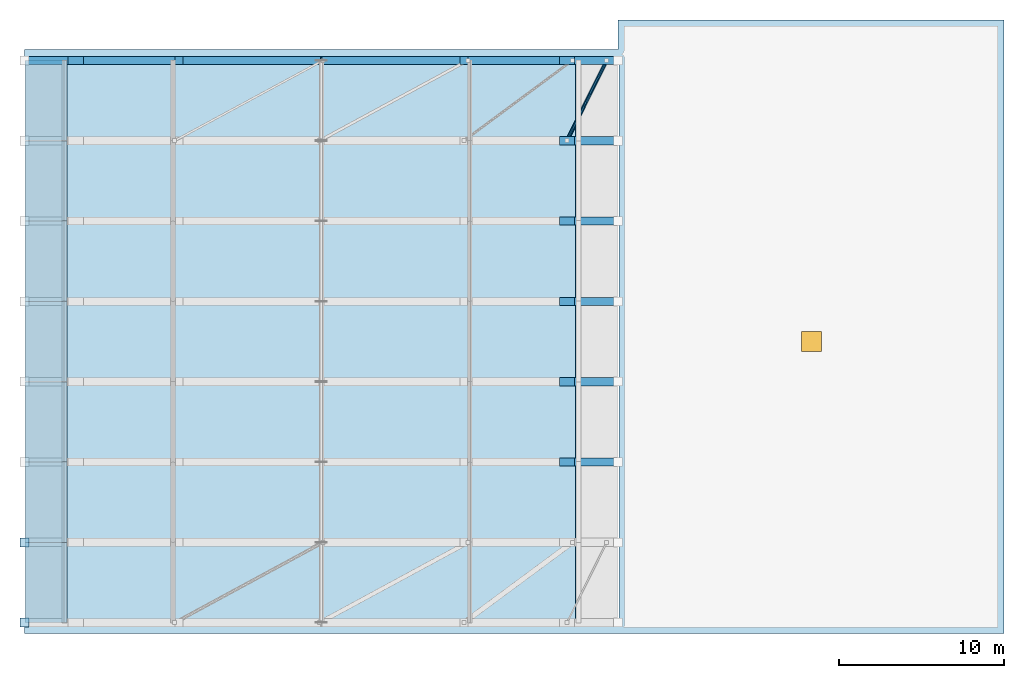
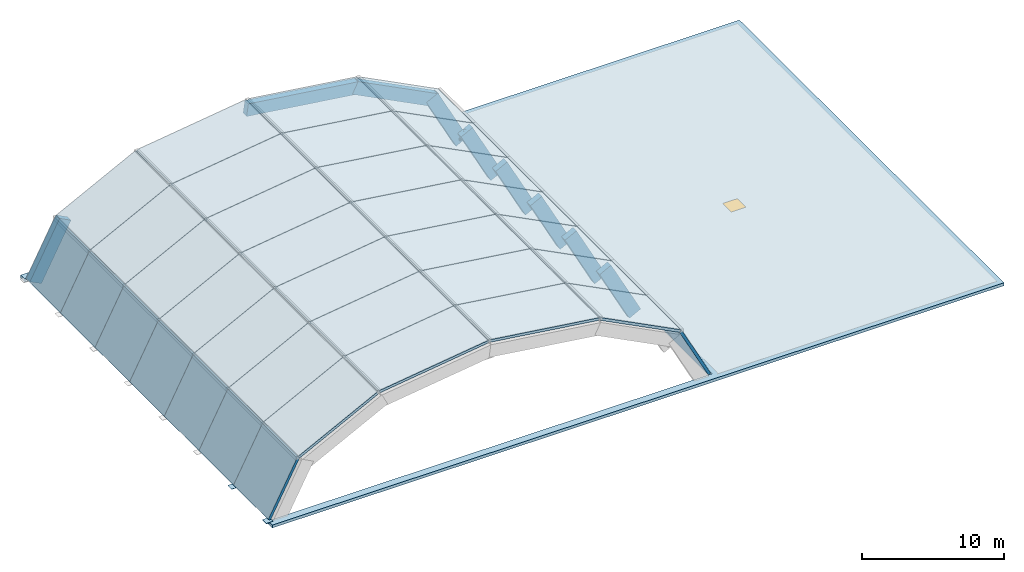
# One storey, part 2 of 4: 43 slabs, 11 beams, 2 plates, 1 member, 1 window, 1 opening.
"""IFC4 building model written with IfcOpenShell, lengths in metres."""

from ifc_helpers import new_model, si_unit, direction, frame, origin, origin_2d, place, context, subcontext, project, spatial, polyline, rectangle, hollow_circle, outline, extrude, material, layer, layer_set, material_profile, profile_set, type_object, element, fill, save


model = new_model("IFC4")

# Units and contexts
model_context = context("Model", 3, precision=1e-05, world=origin(), true_north=direction((0.0, 1.0)))
body_context = subcontext(model_context, "Body", "Model", "MODEL_VIEW")
ifc_project = project(units=[si_unit("LENGTHUNIT", "METRE"), si_unit("AREAUNIT", "SQUARE_METRE"), si_unit("VOLUMEUNIT", "CUBIC_METRE"), si_unit("PLANEANGLEUNIT", "RADIAN"), si_unit("MASSUNIT", "GRAM", prefix="KILO")], contexts=[model_context])

# Site, building, storey
site_placement = place(None, origin())
site = spatial("IfcSite", under=ifc_project, at=site_placement, CompositionType="ELEMENT")
building_placement = place(site_placement, origin())
building = spatial("IfcBuilding", under=site, at=building_placement, Name="Mithqara Police Headquarters", CompositionType="ELEMENT")
storey_placement = place(building_placement, frame((0.0, 0.0, 35.39990234375)))
storey = spatial("IfcBuildingStorey", under=building, at=storey_placement, Name="ROOF", CompositionType="ELEMENT", Elevation=35.39990234375)

# Member
ifc_material_1 = material(Name="Steel S355JR", Category="steel")
ifc_material_profile_1 = material_profile(ifc_material_1, hollow_circle(Radius=0.109619140625, WallThickness=0.010009765625, at=origin_2d()), Name="CHS 219.1x10.0")
ifc_profile_set_1 = profile_set([ifc_material_profile_1], Name="Steel S355JR")
member_type = type_object("IfcMemberType", Name="BRACE CHS219", PredefinedType="BRACE", material=ifc_profile_set_1)
member_placement = place(storey_placement, frame((141.4931640625, 108.478515625, 4.235595703125), z_axis=(0.338661642376, 0.68411160275, -0.645987311768), x_axis=(-0.896198681727, 0.443652930646, 0.0)))
element("IfcMember", 1, at=member_placement, inside=storey, type_object=member_type, Name="Command and Control Room Barrel Vault Vault Wind Brace Bay 7 Facet 6", PredefinedType="BRACE", context=body_context, shape_type="SweptSolid", body=[
    extrude(hollow_circle(Radius=0.109619140625, WallThickness=0.010009765625, at=origin_2d()), origin(), (0.0, 0.0, 1.0), 7.12109375),
])

# Beams
ifc_material_2 = material(Name="Concrete C50/60", Category="concrete")
ifc_material_profile_2 = material_profile(ifc_material_2, rectangle(XDim=0.5, YDim=1.050048828125, at=origin_2d()), Name="RIB 500x1050")
ifc_profile_set_2 = profile_set([ifc_material_profile_2], Name="Concrete C50/60")
beam_type = type_object("IfcBeamType", Name="VAULT RIB 500X1050", PredefinedType="BEAM", material=ifc_profile_set_2)
for number, where, z_axis, x_axis, name in (
    (2, (141.4931640625, 88.992919921875, 4.235595703125), (0.464316095855, 0.0, -0.885669556398), (0.0, 1.0, 0.0), "Command and Control Room Barrel Vault Arch Rib 3 Chord 6"),
    (3, (141.4931640625, 93.8642578125, 4.235595703125), (0.464316095855, 0.0, -0.885669556398), (0.0, 1.0, 0.0), "Command and Control Room Barrel Vault Arch Rib 4 Chord 6"),
    (4, (141.4931640625, 98.735595703125, 4.235595703125), (0.464316095855, 0.0, -0.885669556398), (0.0, 1.0, 0.0), "Command and Control Room Barrel Vault Arch Rib 5 Chord 6"),
    (5, (141.4931640625, 103.607177734375, 4.235595703125), (0.464316095855, 0.0, -0.885669556398), (0.0, 1.0, 0.0), "Command and Control Room Barrel Vault Arch Rib 6 Chord 6"),
    (6, (141.4931640625, 108.478515625, 4.235595703125), (0.464316095855, 0.0, -0.885669556398), (0.0, 1.0, 0.0), "Command and Control Room Barrel Vault Arch Rib 7 Chord 6"),
    (7, (109.29541015625, 113.35009765625, -0.364501953125), (0.464279223373, 0.0, 0.885688885977), (0.0, 1.0, 0.0), "Command and Control Room Barrel Vault Arch Rib 8 Chord 1"),
):
    element("IfcBeam", number, at=place(storey_placement, frame(where, z_axis=z_axis, x_axis=x_axis)), inside=storey, type_object=beam_type, Name=name, PredefinedType="BEAM", context=body_context, shape_type="SweptSolid", body=[
        extrude(rectangle(XDim=0.5, YDim=1.050048828125, at=origin_2d()), origin(), (0.0, 0.0, 1.0), 5.19384765625),
    ])
beam_1_placement = place(storey_placement, frame((111.368896484375, 113.35009765625, 3.901123046875), z_axis=(0.890432602167, 0.0, 0.455115129389), x_axis=(0.0, 1.0, 0.0)))
element("IfcBeam", 8, at=beam_1_placement, inside=storey, type_object=beam_type, Name="Command and Control Room Barrel Vault Arch Rib 8 Chord 2", PredefinedType="BEAM", context=body_context, shape_type="SweptSolid", body=[
    extrude(rectangle(XDim=0.5, YDim=1.050048828125, at=origin_2d()), origin(), (0.0, 0.0, 1.0), 7.399169921875),
])
for number, where, z_axis, x_axis, name in (
    (9, (117.70654296875, 113.35009765625, 7.189697265625), (0.990750513931, 0.0, 0.135696054276), (0.0, 1.0, 0.0), "Command and Control Room Barrel Vault Arch Rib 8 Chord 3"),
    (10, (126.493408203125, 113.35009765625, 8.42236328125), (0.990750513931, 0.0, -0.135696054276), (0.0, 1.0, 0.0), "Command and Control Room Barrel Vault Arch Rib 8 Chord 4"),
):
    element("IfcBeam", number, at=place(storey_placement, frame(where, z_axis=z_axis, x_axis=x_axis)), inside=storey, type_object=beam_type, Name=name, PredefinedType="BEAM", context=body_context, shape_type="SweptSolid", body=[
        extrude(rectangle(XDim=0.5, YDim=1.050048828125, at=origin_2d()), origin(), (0.0, 0.0, 1.0), 9.083984375),
    ])
beam_2_placement = place(storey_placement, frame((135.24267578125, 113.35009765625, 7.2685546875), z_axis=(0.890439436339, 0.0, -0.455101758085), x_axis=(0.0, 1.0, 0.0)))
element("IfcBeam", 11, at=beam_2_placement, inside=storey, type_object=beam_type, Name="Command and Control Room Barrel Vault Arch Rib 8 Chord 5", PredefinedType="BEAM", context=body_context, shape_type="SweptSolid", body=[
    extrude(rectangle(XDim=0.5, YDim=1.050048828125, at=origin_2d()), origin(), (0.0, 0.0, 1.0), 7.3994140625),
])
beam_3_placement = place(storey_placement, frame((141.4931640625, 113.35009765625, 4.235595703125), z_axis=(0.464316095855, 0.0, -0.885669556398), x_axis=(0.0, 1.0, 0.0)))
element("IfcBeam", 12, at=beam_3_placement, inside=storey, type_object=beam_type, Name="Command and Control Room Barrel Vault Arch Rib 8 Chord 6", PredefinedType="BEAM", context=body_context, shape_type="SweptSolid", body=[
    extrude(rectangle(XDim=0.5, YDim=1.050048828125, at=origin_2d()), origin(), (0.0, 0.0, 1.0), 5.19384765625),
])

# Plates
ifc_layer_1 = layer(ifc_material_1, 0.048095703125, Name="Steel S355JR")
ifc_layer_set_1 = layer_set([ifc_layer_1], Name="Steel S355JR")
plate_type_1 = type_object("IfcPlateType", Name="BASE PLATE 48", PredefinedType="SHEET", material=ifc_layer_set_1)
plate_1_placement = place(storey_placement, frame((108.60009765625, 79.25, -0.0478515625), z_axis=(0.0, 0.0, 1.0), x_axis=(1.0, 0.0, 0.0)))
element("IfcPlate", 13, at=plate_1_placement, inside=storey, type_object=plate_type_1, Name="Command and Control Room Barrel Vault Springing Shoe Plate W1", PredefinedType="SHEET", context=body_context, shape_type="SweptSolid", body=[
    extrude(rectangle(XDim=0.550048828125, YDim=0.550048828125, at=origin_2d()), origin(), (0.0, 0.0, 1.0), 0.048095703125),
])
ifc_layer_2 = layer(ifc_material_1, 0.02392578125, Name="Steel S355JR")
ifc_layer_set_2 = layer_set([ifc_layer_2], Name="Steel S355JR")
plate_type_2 = type_object("IfcPlateType", Name="GUSSET PLATE 24", PredefinedType="SHEET", material=ifc_layer_set_2)
plate_2_placement = place(storey_placement, frame((108.60009765625, 84.121337890625, -0.035888671875), z_axis=(0.0, 0.0, 1.0), x_axis=(1.0, 0.0, 0.0)))
element("IfcPlate", 14, at=plate_2_placement, inside=storey, type_object=plate_type_2, Name="Command and Control Room Barrel Vault Springing Shoe Plate W2", PredefinedType="SHEET", context=body_context, shape_type="SweptSolid", body=[
    extrude(rectangle(XDim=0.550048828125, YDim=0.550048828125, at=origin_2d()), origin(), (0.0, 0.0, 1.0), 0.02392578125),
])

# Slab, opening, window
ifc_material_3 = material(Name="Concrete C40/50", Category="concrete")
ifc_layer_3 = layer(ifc_material_3, 0.25, Name="Concrete C40/50")
ifc_layer_set_3 = layer_set([ifc_layer_3], Name="Concrete C40/50")
slab_type_1 = type_object("IfcSlabType", Name="ROOF SLAB 250", PredefinedType="ROOF", material=ifc_layer_set_3)
slab_1_placement = place(storey_placement, frame((0.0, 0.0, -0.25)))
slab_1 = element("IfcSlab", 15, at=slab_1_placement, inside=storey, type_object=slab_type_1, Name="ROOF Flat Insulated Roof over L07 Wing 1", PredefinedType="ROOF", context=body_context, shape_type="SweptSolid", body=[
    extrude(outline(polyline([(108.60009765625, 79.199951171875), (144.64990234375, 79.199951171875), (144.64990234375, 113.39990234375), (108.60009765625, 113.39990234375), (108.60009765625, 114.0), (144.60009765625, 114.0), (144.60009765625, 115.800048828125), (168.0, 115.800048828125), (168.0, 78.60009765625), (144.60009765625, 78.60009765625), (108.60009765625, 78.60009765625), (108.60009765625, 79.199951171875)]), holes=[polyline([(155.72509765625, 95.699951171875), (156.925048828125, 95.699951171875), (156.925048828125, 96.89990234375), (155.72509765625, 96.89990234375), (155.72509765625, 95.699951171875)])]), origin(), (0.0, 0.0, 1.0), 0.25),
])
opening_placement = place(slab_1_placement, frame((156.324951171875, 96.300048828125, -0.010009765625)))
opening = element("IfcOpeningElement", 16, at=opening_placement, cuts=slab_1, Name="Opening SK-01", PredefinedType="OPENING", context=body_context, shape_type="SweptSolid", body=[
    extrude(rectangle(XDim=1.199951171875, YDim=1.199951171875, at=origin_2d()), origin(), (0.0, 0.0, 1.0), 0.27001953125),
])
ifc_material_4 = material(Name="Spectrally selective double low-e glass", Category="glass")
window_type = type_object("IfcWindowType", Name="SKYLIGHT 1200X1200", PartitioningType="SINGLE_PANEL", PredefinedType="SKYLIGHT", material=ifc_material_4)
window_placement = place(opening_placement, frame((0.0, 0.0, 0.2099609375)))
window = element("IfcWindow", 17, at=window_placement, inside=storey, type_object=window_type, Name="ROOF Roof Daylight Skylight and Access Hatch 13", OverallHeight=1.199951171875, OverallWidth=1.199951171875, PartitioningType="SINGLE_PANEL", PredefinedType="SKYLIGHT", context=body_context, shape_type="SweptSolid", body=[
    extrude(rectangle(XDim=1.199951171875, YDim=1.199951171875, at=origin_2d()), origin(), (0.0, 0.0, 1.0), 0.050048828125),
])
fill(opening, window)

# Slabs
ifc_layer_4 = layer(ifc_material_3, 0.219970703125, Name="Concrete C40/50")
ifc_layer_set_4 = layer_set([ifc_layer_4], Name="Concrete C40/50")
slab_type_2 = type_object("IfcSlabType", Name="VAULT SHELL 220", PredefinedType="ROOF", material=ifc_layer_set_4)
slab_2_placement = place(storey_placement, frame((108.631591796875, 79.2529296875, 0.060302734375), z_axis=(-0.885669920915, 0.0, 0.464315400549), x_axis=(0.464315400549, 0.0, 0.885669920915)))
element("IfcSlab", 18, at=slab_2_placement, inside=storey, type_object=slab_type_2, Name="Command and Control Room Barrel Vault Shell Strip Bay 1 Facet 1", PredefinedType="ROOF", context=body_context, shape_type="SweptSolid", body=[
    extrude(outline(polyline([(0.0, 0.0), (5.057744518267443, 0.0), (5.057744518267443, 4.865478515625), (0.0, 4.865478515625), (0.0, 0.0)])), origin(), (0.0, 0.0, -1.0), 0.219970703125),
])
slab_3_placement = place(storey_placement, frame((111.072021484375, 79.2529296875, 4.631103515625), z_axis=(-0.455088554357, 0.0, 0.890446184614), x_axis=(0.890446184614, 0.0, 0.455088554357)))
element("IfcSlab", 19, at=slab_3_placement, inside=storey, type_object=slab_type_2, Name="Command and Control Room Barrel Vault Shell Strip Bay 1 Facet 2", PredefinedType="ROOF", context=body_context, shape_type="SweptSolid", body=[
    extrude(outline(polyline([(0.0, 0.0), (7.263245560069174, 0.0), (7.263245560069174, 4.865478515625), (0.0, 4.865478515625), (0.0, 0.0)])), origin(), (0.0, 0.0, -1.0), 0.219970703125),
])
for number, where, z_axis, x_axis, name in (
    (20, (117.66748046875, 79.2529296875, 7.976806640625), (-0.135685435615, 0.0, 0.990751968235), (0.990751968235, 0.0, 0.135685435615), "Command and Control Room Barrel Vault Shell Strip Bay 1 Facet 3"),
    (21, (126.66748046875, 79.2529296875, 9.19091796875), (0.135685435615, 0.0, 0.990751968235), (0.990751968235, 0.0, -0.135685435615), "Command and Control Room Barrel Vault Shell Strip Bay 1 Facet 4"),
):
    element("IfcSlab", number, at=place(storey_placement, frame(where, z_axis=z_axis, x_axis=x_axis)), inside=storey, type_object=slab_type_2, Name=name, PredefinedType="ROOF", context=body_context, shape_type="SweptSolid", body=[
        extrude(outline(polyline([(0.0, 0.0), (8.947985630339552, 0.0), (8.947985630339552, 4.865478515625), (0.0, 4.865478515625), (0.0, 0.0)])), origin(), (0.0, 0.0, -1.0), 0.219970703125),
    ])
slab_4_placement = place(storey_placement, frame((135.660400390625, 79.2529296875, 7.9365234375), z_axis=(0.455088554357, 0.0, 0.890446184614), x_axis=(0.890446184614, 0.0, -0.455088554357)))
element("IfcSlab", 22, at=slab_4_placement, inside=storey, type_object=slab_type_2, Name="Command and Control Room Barrel Vault Shell Strip Bay 1 Facet 5", PredefinedType="ROOF", context=body_context, shape_type="SweptSolid", body=[
    extrude(outline(polyline([(0.0, 0.0), (7.263245560069174, 0.0), (7.263245560069174, 4.865478515625), (0.0, 4.865478515625), (0.0, 0.0)])), origin(), (0.0, 0.0, -1.0), 0.219970703125),
])
slab_5_placement = place(storey_placement, frame((142.22021484375, 79.2529296875, 4.539794921875), z_axis=(0.885689770899, 0.0, 0.464277535236), x_axis=(0.464277535236, 0.0, -0.885689770899)))
element("IfcSlab", 23, at=slab_5_placement, inside=storey, type_object=slab_type_2, Name="Command and Control Room Barrel Vault Shell Strip Bay 1 Facet 6", PredefinedType="ROOF", context=body_context, shape_type="SweptSolid", body=[
    extrude(outline(polyline([(0.0, 0.0), (5.0576311646375345, 0.0), (5.0576311646375345, 4.865478515625001), (0.0, 4.865478515625001), (0.0, 0.0)])), origin(), (0.0, 0.0, -1.0), 0.219970703125),
])
slab_6_placement = place(storey_placement, frame((108.631591796875, 84.12451171875, 0.060302734375), z_axis=(-0.885669920915, 0.0, 0.464315400549), x_axis=(0.464315400549, 0.0, 0.885669920915)))
element("IfcSlab", 24, at=slab_6_placement, inside=storey, type_object=slab_type_2, Name="Command and Control Room Barrel Vault Shell Strip Bay 2 Facet 1", PredefinedType="ROOF", context=body_context, shape_type="SweptSolid", body=[
    extrude(outline(polyline([(0.0, 0.0), (5.057744518267443, 0.0), (5.057744518267443, 4.865478515625), (0.0, 4.865478515625), (0.0, 0.0)])), origin(), (0.0, 0.0, -1.0), 0.219970703125),
])
slab_7_placement = place(storey_placement, frame((111.072021484375, 84.12451171875, 4.631103515625), z_axis=(-0.455088554357, 0.0, 0.890446184614), x_axis=(0.890446184614, 0.0, 0.455088554357)))
element("IfcSlab", 25, at=slab_7_placement, inside=storey, type_object=slab_type_2, Name="Command and Control Room Barrel Vault Shell Strip Bay 2 Facet 2", PredefinedType="ROOF", context=body_context, shape_type="SweptSolid", body=[
    extrude(outline(polyline([(0.0, 0.0), (7.263245560069174, 0.0), (7.263245560069174, 4.865478515625), (0.0, 4.865478515625), (0.0, 0.0)])), origin(), (0.0, 0.0, -1.0), 0.219970703125),
])
for number, where, z_axis, x_axis, name in (
    (26, (117.66748046875, 84.12451171875, 7.976806640625), (-0.135685435615, 0.0, 0.990751968235), (0.990751968235, 0.0, 0.135685435615), "Command and Control Room Barrel Vault Shell Strip Bay 2 Facet 3"),
    (27, (126.66748046875, 84.12451171875, 9.19091796875), (0.135685435615, 0.0, 0.990751968235), (0.990751968235, 0.0, -0.135685435615), "Command and Control Room Barrel Vault Shell Strip Bay 2 Facet 4"),
):
    element("IfcSlab", number, at=place(storey_placement, frame(where, z_axis=z_axis, x_axis=x_axis)), inside=storey, type_object=slab_type_2, Name=name, PredefinedType="ROOF", context=body_context, shape_type="SweptSolid", body=[
        extrude(outline(polyline([(0.0, 0.0), (8.947985630339552, 0.0), (8.947985630339552, 4.865478515625), (0.0, 4.865478515625), (0.0, 0.0)])), origin(), (0.0, 0.0, -1.0), 0.219970703125),
    ])
slab_8_placement = place(storey_placement, frame((135.660400390625, 84.12451171875, 7.9365234375), z_axis=(0.455088554357, 0.0, 0.890446184614), x_axis=(0.890446184614, 0.0, -0.455088554357)))
element("IfcSlab", 28, at=slab_8_placement, inside=storey, type_object=slab_type_2, Name="Command and Control Room Barrel Vault Shell Strip Bay 2 Facet 5", PredefinedType="ROOF", context=body_context, shape_type="SweptSolid", body=[
    extrude(outline(polyline([(0.0, 0.0), (7.263245560069174, 0.0), (7.263245560069174, 4.865478515625), (0.0, 4.865478515625), (0.0, 0.0)])), origin(), (0.0, 0.0, -1.0), 0.219970703125),
])
slab_9_placement = place(storey_placement, frame((142.22021484375, 84.12451171875, 4.539794921875), z_axis=(0.885689770899, 0.0, 0.464277535236), x_axis=(0.464277535236, 0.0, -0.885689770899)))
element("IfcSlab", 29, at=slab_9_placement, inside=storey, type_object=slab_type_2, Name="Command and Control Room Barrel Vault Shell Strip Bay 2 Facet 6", PredefinedType="ROOF", context=body_context, shape_type="SweptSolid", body=[
    extrude(outline(polyline([(0.0, 0.0), (5.0576311646375345, 0.0), (5.0576311646375345, 4.865478515625001), (0.0, 4.865478515625001), (0.0, 0.0)])), origin(), (0.0, 0.0, -1.0), 0.219970703125),
])
slab_10_placement = place(storey_placement, frame((108.631591796875, 88.995849609375, 0.060302734375), z_axis=(-0.885669920915, 0.0, 0.464315400549), x_axis=(0.464315400549, 0.0, 0.885669920915)))
element("IfcSlab", 30, at=slab_10_placement, inside=storey, type_object=slab_type_2, Name="Command and Control Room Barrel Vault Shell Strip Bay 3 Facet 1", PredefinedType="ROOF", context=body_context, shape_type="SweptSolid", body=[
    extrude(outline(polyline([(0.0, 0.0), (5.057744518267443, 0.0), (5.057744518267443, 4.865478515625), (0.0, 4.865478515625), (0.0, 0.0)])), origin(), (0.0, 0.0, -1.0), 0.219970703125),
])
slab_11_placement = place(storey_placement, frame((111.072021484375, 88.995849609375, 4.631103515625), z_axis=(-0.455088554357, 0.0, 0.890446184614), x_axis=(0.890446184614, 0.0, 0.455088554357)))
element("IfcSlab", 31, at=slab_11_placement, inside=storey, type_object=slab_type_2, Name="Command and Control Room Barrel Vault Shell Strip Bay 3 Facet 2", PredefinedType="ROOF", context=body_context, shape_type="SweptSolid", body=[
    extrude(outline(polyline([(0.0, 0.0), (7.263245560069174, 0.0), (7.263245560069174, 4.865478515625), (0.0, 4.865478515625), (0.0, 0.0)])), origin(), (0.0, 0.0, -1.0), 0.219970703125),
])
for number, where, z_axis, x_axis, name in (
    (32, (117.66748046875, 88.995849609375, 7.976806640625), (-0.135685435615, 0.0, 0.990751968235), (0.990751968235, 0.0, 0.135685435615), "Command and Control Room Barrel Vault Shell Strip Bay 3 Facet 3"),
    (33, (126.66748046875, 88.995849609375, 9.19091796875), (0.135685435615, 0.0, 0.990751968235), (0.990751968235, 0.0, -0.135685435615), "Command and Control Room Barrel Vault Shell Strip Bay 3 Facet 4"),
):
    element("IfcSlab", number, at=place(storey_placement, frame(where, z_axis=z_axis, x_axis=x_axis)), inside=storey, type_object=slab_type_2, Name=name, PredefinedType="ROOF", context=body_context, shape_type="SweptSolid", body=[
        extrude(outline(polyline([(0.0, 0.0), (8.947985630339552, 0.0), (8.947985630339552, 4.865478515625), (0.0, 4.865478515625), (0.0, 0.0)])), origin(), (0.0, 0.0, -1.0), 0.219970703125),
    ])
slab_12_placement = place(storey_placement, frame((135.660400390625, 88.995849609375, 7.9365234375), z_axis=(0.455088554357, 0.0, 0.890446184614), x_axis=(0.890446184614, 0.0, -0.455088554357)))
element("IfcSlab", 34, at=slab_12_placement, inside=storey, type_object=slab_type_2, Name="Command and Control Room Barrel Vault Shell Strip Bay 3 Facet 5", PredefinedType="ROOF", context=body_context, shape_type="SweptSolid", body=[
    extrude(outline(polyline([(0.0, 0.0), (7.263245560069174, 0.0), (7.263245560069174, 4.865478515625), (0.0, 4.865478515625), (0.0, 0.0)])), origin(), (0.0, 0.0, -1.0), 0.219970703125),
])
slab_13_placement = place(storey_placement, frame((142.22021484375, 88.995849609375, 4.539794921875), z_axis=(0.885689770899, 0.0, 0.464277535236), x_axis=(0.464277535236, 0.0, -0.885689770899)))
element("IfcSlab", 35, at=slab_13_placement, inside=storey, type_object=slab_type_2, Name="Command and Control Room Barrel Vault Shell Strip Bay 3 Facet 6", PredefinedType="ROOF", context=body_context, shape_type="SweptSolid", body=[
    extrude(outline(polyline([(0.0, 0.0), (5.0576311646375345, 0.0), (5.0576311646375345, 4.865478515625001), (0.0, 4.865478515625001), (0.0, 0.0)])), origin(), (0.0, 0.0, -1.0), 0.219970703125),
])
slab_14_placement = place(storey_placement, frame((108.631591796875, 93.8671875, 0.060302734375), z_axis=(-0.885669920915, 0.0, 0.464315400549), x_axis=(0.464315400549, 0.0, 0.885669920915)))
element("IfcSlab", 36, at=slab_14_placement, inside=storey, type_object=slab_type_2, Name="Command and Control Room Barrel Vault Shell Strip Bay 4 Facet 1", PredefinedType="ROOF", context=body_context, shape_type="SweptSolid", body=[
    extrude(outline(polyline([(0.0, 0.0), (5.057744518267443, 0.0), (5.057744518267443, 4.865478515625), (0.0, 4.865478515625), (0.0, 0.0)])), origin(), (0.0, 0.0, -1.0), 0.219970703125),
])
slab_15_placement = place(storey_placement, frame((111.072021484375, 93.8671875, 4.631103515625), z_axis=(-0.455088554357, 0.0, 0.890446184614), x_axis=(0.890446184614, 0.0, 0.455088554357)))
element("IfcSlab", 37, at=slab_15_placement, inside=storey, type_object=slab_type_2, Name="Command and Control Room Barrel Vault Shell Strip Bay 4 Facet 2", PredefinedType="ROOF", context=body_context, shape_type="SweptSolid", body=[
    extrude(outline(polyline([(0.0, 0.0), (7.263245560069174, 0.0), (7.263245560069174, 4.865478515625), (0.0, 4.865478515625), (0.0, 0.0)])), origin(), (0.0, 0.0, -1.0), 0.219970703125),
])
for number, where, z_axis, x_axis, name in (
    (38, (117.66748046875, 93.8671875, 7.976806640625), (-0.135685435615, 0.0, 0.990751968235), (0.990751968235, 0.0, 0.135685435615), "Command and Control Room Barrel Vault Shell Strip Bay 4 Facet 3"),
    (39, (126.66748046875, 93.8671875, 9.19091796875), (0.135685435615, 0.0, 0.990751968235), (0.990751968235, 0.0, -0.135685435615), "Command and Control Room Barrel Vault Shell Strip Bay 4 Facet 4"),
):
    element("IfcSlab", number, at=place(storey_placement, frame(where, z_axis=z_axis, x_axis=x_axis)), inside=storey, type_object=slab_type_2, Name=name, PredefinedType="ROOF", context=body_context, shape_type="SweptSolid", body=[
        extrude(outline(polyline([(0.0, 0.0), (8.947985630339552, 0.0), (8.947985630339552, 4.865478515625), (0.0, 4.865478515625), (0.0, 0.0)])), origin(), (0.0, 0.0, -1.0), 0.219970703125),
    ])
slab_16_placement = place(storey_placement, frame((135.660400390625, 93.8671875, 7.9365234375), z_axis=(0.455088554357, 0.0, 0.890446184614), x_axis=(0.890446184614, 0.0, -0.455088554357)))
element("IfcSlab", 40, at=slab_16_placement, inside=storey, type_object=slab_type_2, Name="Command and Control Room Barrel Vault Shell Strip Bay 4 Facet 5", PredefinedType="ROOF", context=body_context, shape_type="SweptSolid", body=[
    extrude(outline(polyline([(0.0, 0.0), (7.263245560069174, 0.0), (7.263245560069174, 4.865478515625), (0.0, 4.865478515625), (0.0, 0.0)])), origin(), (0.0, 0.0, -1.0), 0.219970703125),
])
slab_17_placement = place(storey_placement, frame((142.22021484375, 93.8671875, 4.539794921875), z_axis=(0.885689770899, 0.0, 0.464277535236), x_axis=(0.464277535236, 0.0, -0.885689770899)))
element("IfcSlab", 41, at=slab_17_placement, inside=storey, type_object=slab_type_2, Name="Command and Control Room Barrel Vault Shell Strip Bay 4 Facet 6", PredefinedType="ROOF", context=body_context, shape_type="SweptSolid", body=[
    extrude(outline(polyline([(0.0, 0.0), (5.0576311646375345, 0.0), (5.0576311646375345, 4.865478515625001), (0.0, 4.865478515625001), (0.0, 0.0)])), origin(), (0.0, 0.0, -1.0), 0.219970703125),
])
slab_18_placement = place(storey_placement, frame((108.631591796875, 98.73876953125, 0.060302734375), z_axis=(-0.885669920915, 0.0, 0.464315400549), x_axis=(0.464315400549, 0.0, 0.885669920915)))
element("IfcSlab", 42, at=slab_18_placement, inside=storey, type_object=slab_type_2, Name="Command and Control Room Barrel Vault Shell Strip Bay 5 Facet 1", PredefinedType="ROOF", context=body_context, shape_type="SweptSolid", body=[
    extrude(outline(polyline([(0.0, 0.0), (5.057744518267443, 0.0), (5.057744518267443, 4.865234375), (0.0, 4.865234375), (0.0, 0.0)])), origin(), (0.0, 0.0, -1.0), 0.219970703125),
])
slab_19_placement = place(storey_placement, frame((111.072021484375, 98.73876953125, 4.631103515625), z_axis=(-0.455088554357, 0.0, 0.890446184614), x_axis=(0.890446184614, 0.0, 0.455088554357)))
element("IfcSlab", 43, at=slab_19_placement, inside=storey, type_object=slab_type_2, Name="Command and Control Room Barrel Vault Shell Strip Bay 5 Facet 2", PredefinedType="ROOF", context=body_context, shape_type="SweptSolid", body=[
    extrude(outline(polyline([(0.0, 0.0), (7.263245560069174, 0.0), (7.263245560069174, 4.865234374999999), (0.0, 4.865234374999999), (0.0, 0.0)])), origin(), (0.0, 0.0, -1.0), 0.219970703125),
])
for number, where, z_axis, x_axis, name in (
    (44, (117.66748046875, 98.73876953125, 7.976806640625), (-0.135685435615, 0.0, 0.990751968235), (0.990751968235, 0.0, 0.135685435615), "Command and Control Room Barrel Vault Shell Strip Bay 5 Facet 3"),
    (45, (126.66748046875, 98.73876953125, 9.19091796875), (0.135685435615, 0.0, 0.990751968235), (0.990751968235, 0.0, -0.135685435615), "Command and Control Room Barrel Vault Shell Strip Bay 5 Facet 4"),
):
    element("IfcSlab", number, at=place(storey_placement, frame(where, z_axis=z_axis, x_axis=x_axis)), inside=storey, type_object=slab_type_2, Name=name, PredefinedType="ROOF", context=body_context, shape_type="SweptSolid", body=[
        extrude(outline(polyline([(0.0, 0.0), (8.947985630339552, 0.0), (8.947985630339552, 4.865234375), (0.0, 4.865234375), (0.0, 0.0)])), origin(), (0.0, 0.0, -1.0), 0.219970703125),
    ])
slab_20_placement = place(storey_placement, frame((135.660400390625, 98.73876953125, 7.9365234375), z_axis=(0.455088554357, 0.0, 0.890446184614), x_axis=(0.890446184614, 0.0, -0.455088554357)))
element("IfcSlab", 46, at=slab_20_placement, inside=storey, type_object=slab_type_2, Name="Command and Control Room Barrel Vault Shell Strip Bay 5 Facet 5", PredefinedType="ROOF", context=body_context, shape_type="SweptSolid", body=[
    extrude(outline(polyline([(0.0, 0.0), (7.263245560069174, 0.0), (7.263245560069174, 4.865234374999999), (0.0, 4.865234374999999), (0.0, 0.0)])), origin(), (0.0, 0.0, -1.0), 0.219970703125),
])
slab_21_placement = place(storey_placement, frame((142.22021484375, 98.73876953125, 4.539794921875), z_axis=(0.885689770899, 0.0, 0.464277535236), x_axis=(0.464277535236, 0.0, -0.885689770899)))
element("IfcSlab", 47, at=slab_21_placement, inside=storey, type_object=slab_type_2, Name="Command and Control Room Barrel Vault Shell Strip Bay 5 Facet 6", PredefinedType="ROOF", context=body_context, shape_type="SweptSolid", body=[
    extrude(outline(polyline([(0.0, 0.0), (5.0576311646375345, 0.0), (5.0576311646375345, 4.865234375000001), (0.0, 4.865234375000001), (0.0, 0.0)])), origin(), (0.0, 0.0, -1.0), 0.219970703125),
])
slab_22_placement = place(storey_placement, frame((108.631591796875, 103.610107421875, 0.060302734375), z_axis=(-0.885669920915, 0.0, 0.464315400549), x_axis=(0.464315400549, 0.0, 0.885669920915)))
element("IfcSlab", 48, at=slab_22_placement, inside=storey, type_object=slab_type_2, Name="Command and Control Room Barrel Vault Shell Strip Bay 6 Facet 1", PredefinedType="ROOF", context=body_context, shape_type="SweptSolid", body=[
    extrude(outline(polyline([(0.0, 0.0), (5.057744518267443, 0.0), (5.057744518267443, 4.865478515625), (0.0, 4.865478515625), (0.0, 0.0)])), origin(), (0.0, 0.0, -1.0), 0.219970703125),
])
slab_23_placement = place(storey_placement, frame((111.072021484375, 103.610107421875, 4.631103515625), z_axis=(-0.455088554357, 0.0, 0.890446184614), x_axis=(0.890446184614, 0.0, 0.455088554357)))
element("IfcSlab", 49, at=slab_23_placement, inside=storey, type_object=slab_type_2, Name="Command and Control Room Barrel Vault Shell Strip Bay 6 Facet 2", PredefinedType="ROOF", context=body_context, shape_type="SweptSolid", body=[
    extrude(outline(polyline([(0.0, 0.0), (7.263245560069174, 0.0), (7.263245560069174, 4.865478515625), (0.0, 4.865478515625), (0.0, 0.0)])), origin(), (0.0, 0.0, -1.0), 0.219970703125),
])
for number, where, z_axis, x_axis, name in (
    (50, (117.66748046875, 103.610107421875, 7.976806640625), (-0.135685435615, 0.0, 0.990751968235), (0.990751968235, 0.0, 0.135685435615), "Command and Control Room Barrel Vault Shell Strip Bay 6 Facet 3"),
    (51, (126.66748046875, 103.610107421875, 9.19091796875), (0.135685435615, 0.0, 0.990751968235), (0.990751968235, 0.0, -0.135685435615), "Command and Control Room Barrel Vault Shell Strip Bay 6 Facet 4"),
):
    element("IfcSlab", number, at=place(storey_placement, frame(where, z_axis=z_axis, x_axis=x_axis)), inside=storey, type_object=slab_type_2, Name=name, PredefinedType="ROOF", context=body_context, shape_type="SweptSolid", body=[
        extrude(outline(polyline([(0.0, 0.0), (8.947985630339552, 0.0), (8.947985630339552, 4.865478515625), (0.0, 4.865478515625), (0.0, 0.0)])), origin(), (0.0, 0.0, -1.0), 0.219970703125),
    ])
slab_24_placement = place(storey_placement, frame((135.660400390625, 103.610107421875, 7.9365234375), z_axis=(0.455088554357, 0.0, 0.890446184614), x_axis=(0.890446184614, 0.0, -0.455088554357)))
element("IfcSlab", 52, at=slab_24_placement, inside=storey, type_object=slab_type_2, Name="Command and Control Room Barrel Vault Shell Strip Bay 6 Facet 5", PredefinedType="ROOF", context=body_context, shape_type="SweptSolid", body=[
    extrude(outline(polyline([(0.0, 0.0), (7.263245560069174, 0.0), (7.263245560069174, 4.865478515625), (0.0, 4.865478515625), (0.0, 0.0)])), origin(), (0.0, 0.0, -1.0), 0.219970703125),
])
slab_25_placement = place(storey_placement, frame((142.22021484375, 103.610107421875, 4.539794921875), z_axis=(0.885689770899, 0.0, 0.464277535236), x_axis=(0.464277535236, 0.0, -0.885689770899)))
element("IfcSlab", 53, at=slab_25_placement, inside=storey, type_object=slab_type_2, Name="Command and Control Room Barrel Vault Shell Strip Bay 6 Facet 6", PredefinedType="ROOF", context=body_context, shape_type="SweptSolid", body=[
    extrude(outline(polyline([(0.0, 0.0), (5.0576311646375345, 0.0), (5.0576311646375345, 4.865478515625001), (0.0, 4.865478515625001), (0.0, 0.0)])), origin(), (0.0, 0.0, -1.0), 0.219970703125),
])
slab_26_placement = place(storey_placement, frame((108.631591796875, 108.481689453125, 0.060302734375), z_axis=(-0.885669920915, 0.0, 0.464315400549), x_axis=(0.464315400549, 0.0, 0.885669920915)))
element("IfcSlab", 54, at=slab_26_placement, inside=storey, type_object=slab_type_2, Name="Command and Control Room Barrel Vault Shell Strip Bay 7 Facet 1", PredefinedType="ROOF", context=body_context, shape_type="SweptSolid", body=[
    extrude(outline(polyline([(0.0, 0.0), (5.057744518267443, 0.0), (5.057744518267443, 4.865234375), (0.0, 4.865234375), (0.0, 0.0)])), origin(), (0.0, 0.0, -1.0), 0.219970703125),
])
slab_27_placement = place(storey_placement, frame((111.072021484375, 108.481689453125, 4.631103515625), z_axis=(-0.455088554357, 0.0, 0.890446184614), x_axis=(0.890446184614, 0.0, 0.455088554357)))
element("IfcSlab", 55, at=slab_27_placement, inside=storey, type_object=slab_type_2, Name="Command and Control Room Barrel Vault Shell Strip Bay 7 Facet 2", PredefinedType="ROOF", context=body_context, shape_type="SweptSolid", body=[
    extrude(outline(polyline([(0.0, 0.0), (7.263245560069174, 0.0), (7.263245560069174, 4.865234374999999), (0.0, 4.865234374999999), (0.0, 0.0)])), origin(), (0.0, 0.0, -1.0), 0.219970703125),
])
for number, where, z_axis, x_axis, name in (
    (56, (117.66748046875, 108.481689453125, 7.976806640625), (-0.135685435615, 0.0, 0.990751968235), (0.990751968235, 0.0, 0.135685435615), "Command and Control Room Barrel Vault Shell Strip Bay 7 Facet 3"),
    (57, (126.66748046875, 108.481689453125, 9.19091796875), (0.135685435615, 0.0, 0.990751968235), (0.990751968235, 0.0, -0.135685435615), "Command and Control Room Barrel Vault Shell Strip Bay 7 Facet 4"),
):
    element("IfcSlab", number, at=place(storey_placement, frame(where, z_axis=z_axis, x_axis=x_axis)), inside=storey, type_object=slab_type_2, Name=name, PredefinedType="ROOF", context=body_context, shape_type="SweptSolid", body=[
        extrude(outline(polyline([(0.0, 0.0), (8.947985630339552, 0.0), (8.947985630339552, 4.865234375), (0.0, 4.865234375), (0.0, 0.0)])), origin(), (0.0, 0.0, -1.0), 0.219970703125),
    ])
slab_28_placement = place(storey_placement, frame((135.660400390625, 108.481689453125, 7.9365234375), z_axis=(0.455088554357, 0.0, 0.890446184614), x_axis=(0.890446184614, 0.0, -0.455088554357)))
element("IfcSlab", 58, at=slab_28_placement, inside=storey, type_object=slab_type_2, Name="Command and Control Room Barrel Vault Shell Strip Bay 7 Facet 5", PredefinedType="ROOF", context=body_context, shape_type="SweptSolid", body=[
    extrude(outline(polyline([(0.0, 0.0), (7.263245560069174, 0.0), (7.263245560069174, 4.865234374999999), (0.0, 4.865234374999999), (0.0, 0.0)])), origin(), (0.0, 0.0, -1.0), 0.219970703125),
])
slab_29_placement = place(storey_placement, frame((142.22021484375, 108.481689453125, 4.539794921875), z_axis=(0.885689770899, 0.0, 0.464277535236), x_axis=(0.464277535236, 0.0, -0.885689770899)))
element("IfcSlab", 59, at=slab_29_placement, inside=storey, type_object=slab_type_2, Name="Command and Control Room Barrel Vault Shell Strip Bay 7 Facet 6", PredefinedType="ROOF", context=body_context, shape_type="SweptSolid", body=[
    extrude(outline(polyline([(0.0, 0.0), (5.0576311646375345, 0.0), (5.0576311646375345, 4.865234375000001), (0.0, 4.865234375000001), (0.0, 0.0)])), origin(), (0.0, 0.0, -1.0), 0.219970703125),
])

save(model, "model.ifc")
